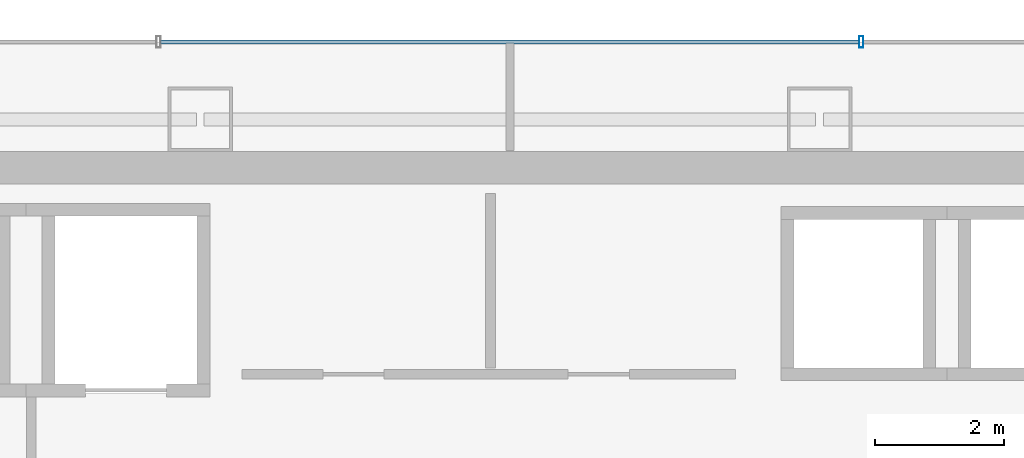
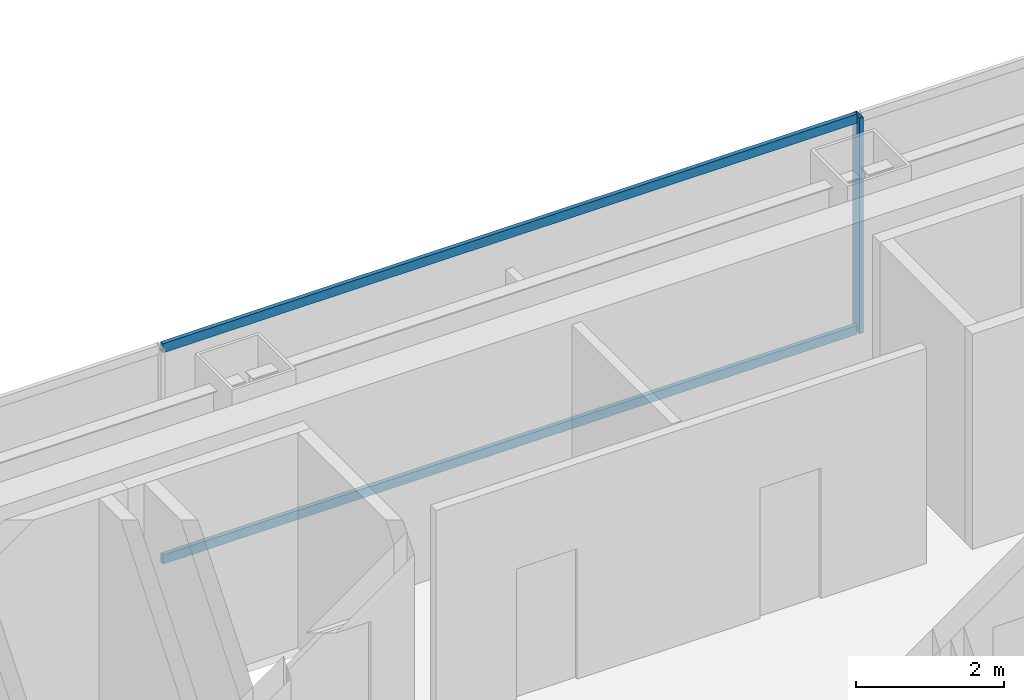
# One storey, part 24 of 37: 3 members, 1 element without a shape of its own.
"""IFC4 building model written with IfcOpenShell, lengths in metres."""

from ifc_helpers import new_model, si_unit, direction, frame, origin, origin_2d, place, context, subcontext, project, spatial, hollow_rectangle, extrude, material, material_profile, profile_set, type_object, element, aggregate, save


model = new_model("IFC4")

# Units and contexts
model_context = context("Model", 3, precision=1e-05, world=origin(), true_north=direction((0.0, 1.0)))
body_context = subcontext(model_context, "Body", "Model", "MODEL_VIEW")
ifc_project = project(units=[si_unit("LENGTHUNIT", "METRE"), si_unit("AREAUNIT", "SQUARE_METRE"), si_unit("VOLUMEUNIT", "CUBIC_METRE"), si_unit("PLANEANGLEUNIT", "RADIAN"), si_unit("MASSUNIT", "GRAM", prefix="KILO")], contexts=[model_context])

# Site, building, storey
site_placement = place(None, origin())
site = spatial("IfcSite", under=ifc_project, at=site_placement, CompositionType="ELEMENT")
building_placement = place(site_placement, origin())
building = spatial("IfcBuilding", under=site, at=building_placement, Name="Saevonmaru Cultural Tower", CompositionType="ELEMENT")
storey_placement = place(building_placement, frame((0.0, 0.0, 163.800048828125)))
storey = spatial("IfcBuildingStorey", under=building, at=storey_placement, Name="L36", CompositionType="ELEMENT", Elevation=163.800048828125)

# Curtain wall, members
ifc_material = material(Name="Satin Bronze Anodised Aluminium", Category="aluminium")
curtain_wall_type = type_object("IfcCurtainWallType", Name="CW-TYP-A", PredefinedType="NOTDEFINED", material=ifc_material)
curtain_wall_placement = place(storey_placement, origin())
curtain_wall = element("IfcCurtainWall", 1, at=curtain_wall_placement, inside=storey, type_object=curtain_wall_type, Name="L36 North Spine Unitised Curtain Wall E10B", PredefinedType="NOTDEFINED")
ifc_material_profile_1 = material_profile(ifc_material, hollow_rectangle(XDim=0.06494140625, YDim=0.179931640625, WallThickness=0.00390625, at=origin_2d()), Name="ALU-MULL-180x65x4")
ifc_profile_set_1 = profile_set([ifc_material_profile_1], Name="Satin Bronze Anodised Aluminium")
member_type_1 = type_object("IfcMemberType", Name="ML-CW-180x65", PredefinedType="MULLION", material=ifc_profile_set_1)
member_1_placement = place(storey_placement, frame((35.44677734375, 56.0, 0.0), z_axis=(0.0, 0.0, 1.0), x_axis=(-1.0, 0.0, 0.0)))
member_1 = element("IfcMember", 2, at=member_1_placement, type_object=member_type_1, Name="CW-TW-L36-E10B mullion 2", PredefinedType="MULLION", context=body_context, shape_type="SweptSolid", body=[
    extrude(hollow_rectangle(XDim=0.06494140625, YDim=0.179931640625, WallThickness=0.00390625, at=origin_2d()), origin(), (0.0, 0.0, 1.0), 3.550048828125),
])
ifc_material_profile_2 = material_profile(ifc_material, hollow_rectangle(XDim=0.06494140625, YDim=0.14990234375, WallThickness=0.00390625, at=origin_2d()), Name="ALU-TRAN-150x65x4")
ifc_profile_set_2 = profile_set([ifc_material_profile_2], Name="Satin Bronze Anodised Aluminium")
member_type_2 = type_object("IfcMemberType", Name="TR-CW-150x65", PredefinedType="USERDEFINED", material=ifc_profile_set_2)
member_2_placement = place(storey_placement, frame((35.4140625, 56.0, 0.032470703125), z_axis=(-1.0, 0.0, 0.0), x_axis=(0.0, -1.0, 0.0)))
member_2 = element("IfcMember", 3, at=member_2_placement, type_object=member_type_2, Name="CW-TW-L36-E10B transom 2.1", ObjectType="TRANSOM", PredefinedType="USERDEFINED", context=body_context, shape_type="SweptSolid", body=[
    extrude(hollow_rectangle(XDim=0.06494140625, YDim=0.14990234375, WallThickness=0.00390625, at=origin_2d()), origin(), (0.0, 0.0, 1.0), 10.828125),
])
member_3_placement = place(storey_placement, frame((35.4140625, 56.0, 3.517333984375), z_axis=(-1.0, 0.0, 0.0), x_axis=(0.0, -1.0, 0.0)))
member_3 = element("IfcMember", 4, at=member_3_placement, type_object=member_type_2, Name="CW-TW-L36-E10B transom 2.2", ObjectType="TRANSOM", PredefinedType="USERDEFINED", context=body_context, shape_type="SweptSolid", body=[
    extrude(hollow_rectangle(XDim=0.06494140625, YDim=0.14990234375, WallThickness=0.00390625, at=origin_2d()), origin(), (0.0, 0.0, 1.0), 10.828125),
])
aggregate(curtain_wall, [member_1, member_2, member_3])

save(model, "model.ifc")
